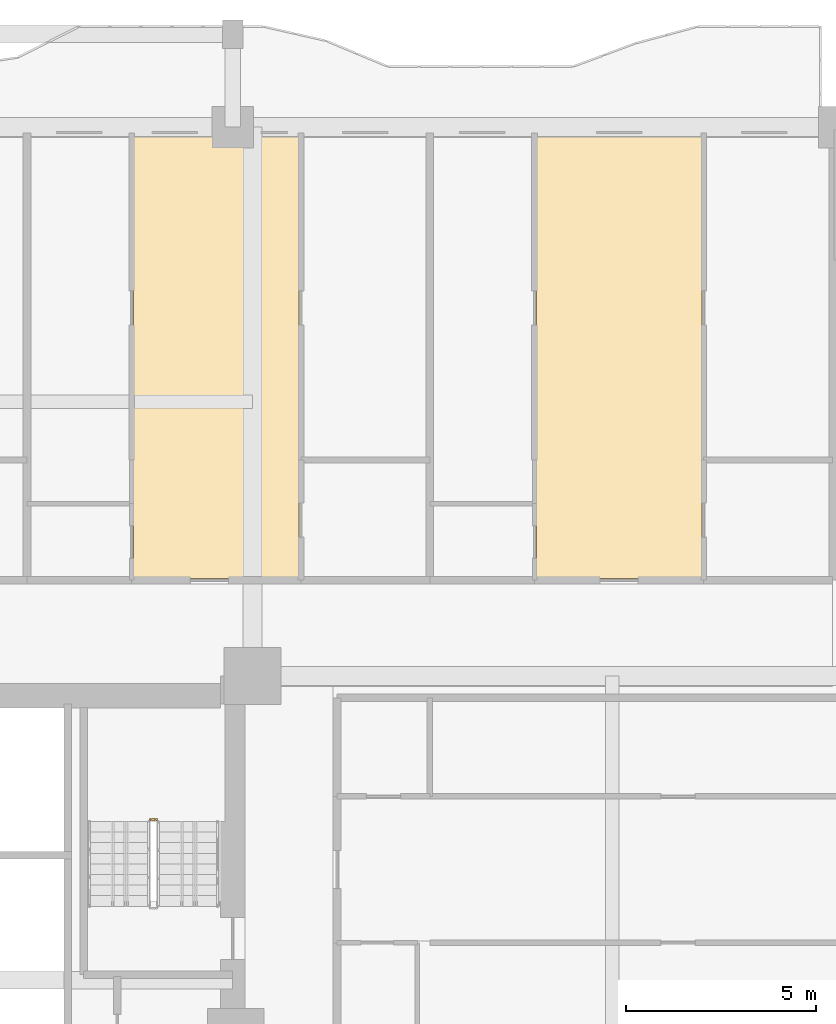
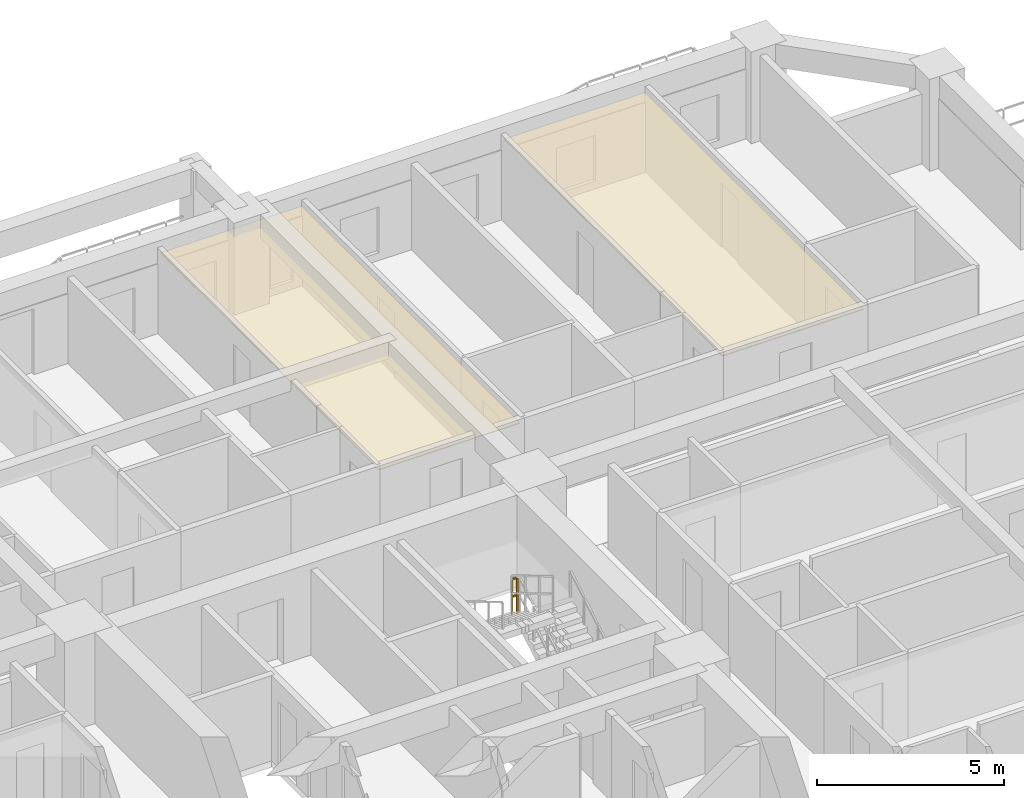
# One storey, part 16 of 16: 2 coverings, 1 railing.
"""IFC4 building model written with IfcOpenShell, lengths in metres."""

from ifc_helpers import new_model, si_unit, direction, frame, origin, origin_2d, place, context, subcontext, project, spatial, polyline, rectangle, outline, extrude, material, layer, layer_set, type_object, element, save


model = new_model("IFC4")

# Units and contexts
model_context = context("Model", 3, precision=1e-05, world=origin(), true_north=direction((0.0, 1.0)))
body_context = subcontext(model_context, "Body", "Model", "MODEL_VIEW")
ifc_project = project(units=[si_unit("LENGTHUNIT", "METRE"), si_unit("AREAUNIT", "SQUARE_METRE"), si_unit("VOLUMEUNIT", "CUBIC_METRE"), si_unit("PLANEANGLEUNIT", "RADIAN"), si_unit("MASSUNIT", "GRAM", prefix="KILO")], contexts=[model_context])

# Site, building, storey
site_placement = place(None, origin())
site = spatial("IfcSite", under=ifc_project, at=site_placement, CompositionType="ELEMENT")
building_placement = place(site_placement, origin())
building = spatial("IfcBuilding", under=site, at=building_placement, Name="Saelheon Loggia Tower", CompositionType="ELEMENT")
storey_placement = place(building_placement, frame((0.0, 0.0, 28.39990234375)))
storey = spatial("IfcBuildingStorey", under=building, at=storey_placement, Name="L08", CompositionType="ELEMENT", Elevation=28.39990234375)

# Coverings
ifc_material_1 = material(Name="Mineral-Fibre Acoustic Ceiling Board", Category="gypsum")
ifc_layer = layer(ifc_material_1, 0.02490234375)
ifc_layer_set = layer_set([ifc_layer], Name="Mineral-Fibre Acoustic Ceiling Board")
covering_type = type_object("IfcCoveringType", Name="Cov_Ceiling_Acoustic", PredefinedType="CEILING", material=ifc_layer_set)
covering_1_placement = place(storey_placement, frame((0.0, 0.0, 2.53515625)))
element("IfcCovering", 1, at=covering_1_placement, inside=storey, type_object=covering_type, Name="L08 Acoustic Suspended Ceiling", PredefinedType="CEILING", context=body_context, shape_type="SweptSolid", body=[
    extrude(outline(polyline([(41.88671875, 39.10009765625), (46.248291015625, 39.10009765625), (46.248291015625, 50.800048828125), (41.88671875, 50.800048828125), (41.88671875, 39.10009765625)])), origin(), (0.0, 0.0, 1.0), 0.02490234375),
])
covering_2_placement = place(storey_placement, frame((0.0, 0.0, 2.53515625)))
element("IfcCovering", 2, at=covering_2_placement, inside=storey, type_object=covering_type, Name="L08 Acoustic Suspended Ceiling", PredefinedType="CEILING", context=body_context, shape_type="SweptSolid", body=[
    extrude(outline(polyline([(52.509521484375, 39.10009765625), (56.870849609375, 39.10009765625), (56.870849609375, 50.800048828125), (52.509521484375, 50.800048828125), (52.509521484375, 39.10009765625)])), origin(), (0.0, 0.0, 1.0), 0.02490234375),
])

# Railing
ifc_material_2 = material(Name="Galvanised Steel S275 Stairwell Guardrail", Category="steel")
railing_type = type_object("IfcRailingType", Name="Guard_StairWell_RL_STG", PredefinedType="GUARDRAIL", material=ifc_material_2)
railing_placement = place(storey_placement, frame((42.489990234375, 32.739990234375, 1.5)))
element("IfcRailing", 3, at=railing_placement, inside=storey, type_object=railing_type, Name="L08 ST2 stair guard 2", PredefinedType="GUARDRAIL", context=body_context, shape_type="SweptSolid", body=[
    extrude(rectangle(XDim=0.048095703125, YDim=0.048095703125, at=origin_2d()), frame((-0.033203125, 0.0, 1.17578125), z_axis=(-1.0, 0.0, 0.0), x_axis=(0.0, -1.0, 0.0)), (0.0, 0.0, 1.0), 0.093505859375),
    extrude(rectangle(XDim=0.048095703125, YDim=0.048095703125, at=origin_2d()), frame((-0.033203125, 0.0, 0.60009765625), z_axis=(-1.0, 0.0, 0.0), x_axis=(0.0, -1.0, 0.0)), (0.0, 0.0, 1.0), 0.093505859375),
    extrude(rectangle(XDim=0.0419921875, YDim=0.0419921875, at=origin_2d()), origin(), (0.0, 0.0, 1.0), 1.14794921875),
    extrude(rectangle(XDim=0.0419921875, YDim=0.0419921875, at=origin_2d()), frame((-0.159912109375, 0.0, 0.0)), (0.0, 0.0, 1.0), 1.14794921875),
])

save(model, "model.ifc")
